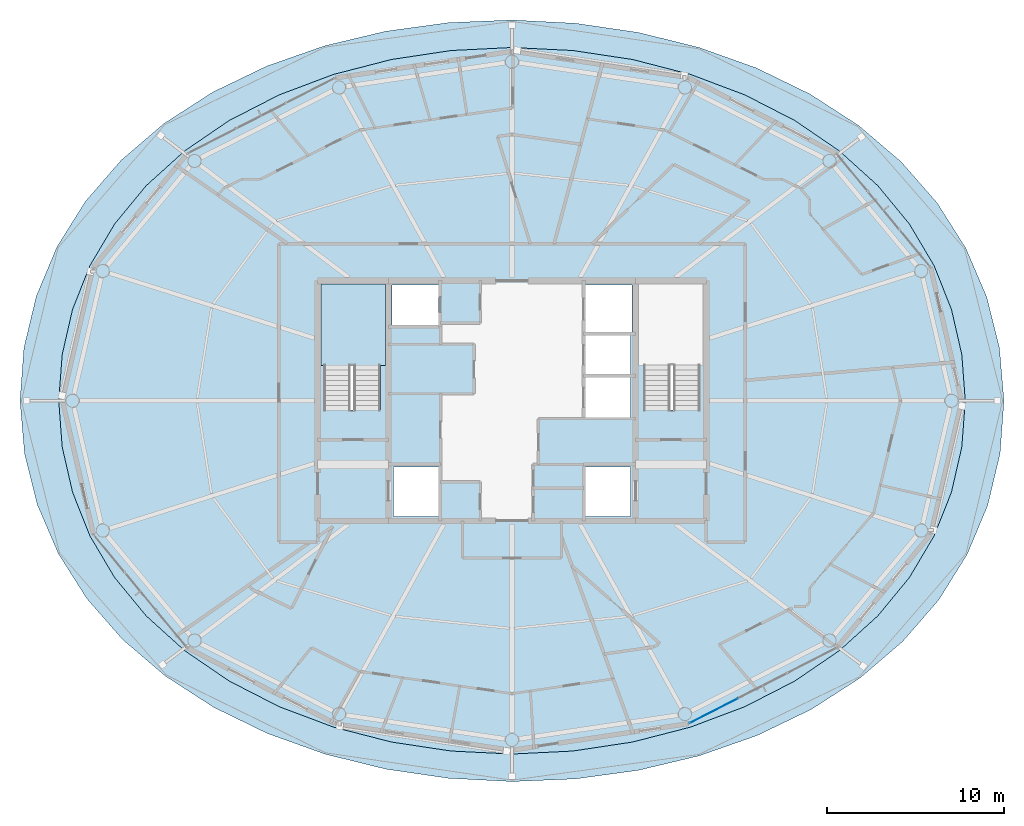
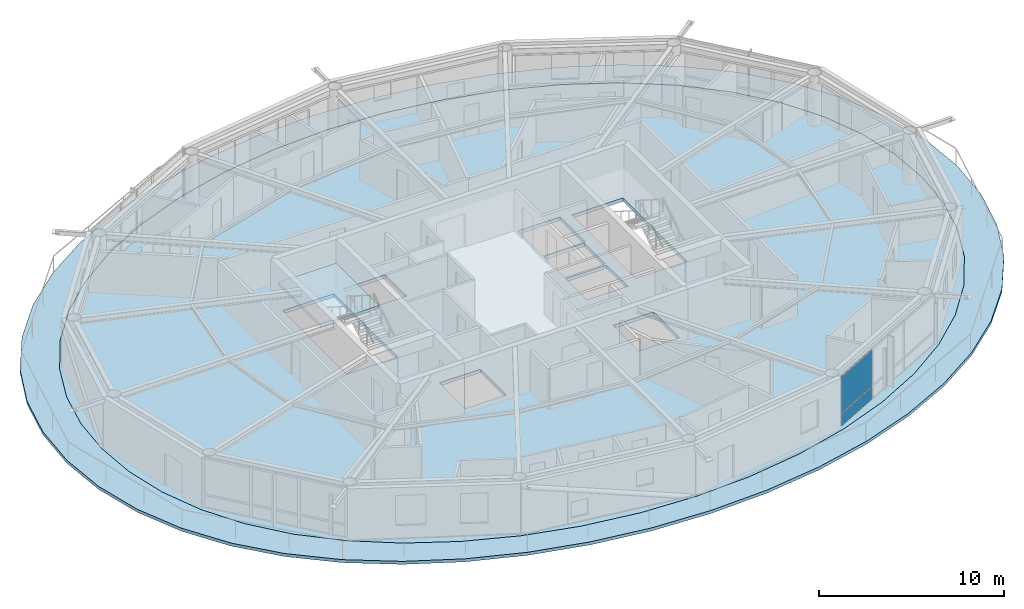
# One storey, part 13 of 23: 3 slabs, 2 plates, 2 elements without a shape of their own.
"""IFC4 building model written with IfcOpenShell, lengths in metres."""

import ifcopenshell
import ifcopenshell.guid

model = None  # the IFC model being written
_history = None  # IfcOwnerHistory: only IFC2X3 demands one
_inside = {}  # id of a spatial element -> (the spatial element, [elements in it])
_under = {}  # id of a project, library or spatial element -> (it, [spatial elements below it])
_declared = {}  # id of a project -> (the project, [libraries it declares])
_typed = {}  # id of a type object -> (the type object, [elements of that type])
_made_of = {}  # id of a material, layer set ... -> (it, [elements and type objects made of it])


def new_model(schema):
    """Start an empty IFC model of exactly this schema.

    Asked for "IFC4X3", IfcOpenShell would pick the latest addendum, in which some entities
    have other attributes; the version numbers below select the first issue.
    IFC2X3 requires an IfcOwnerHistory on every rooted entity: one is made here for all.
    """
    global model, _history
    if schema == "IFC4X3":
        model = ifcopenshell.file(schema_version=(4, 3, 0, 0))
    else:
        model = ifcopenshell.file(schema=schema)
    _inside.clear()
    _under.clear()
    _declared.clear()
    _typed.clear()
    _made_of.clear()
    _history = None
    if model.schema == "IFC2X3":
        org = make("IfcOrganization", Name="unknown")
        user = make(
            "IfcPersonAndOrganization",
            ThePerson=make("IfcPerson", FamilyName="unknown"),
            TheOrganization=org,
        )
        app = make(
            "IfcApplication",
            ApplicationDeveloper=org,
            Version="unknown",
            ApplicationFullName="unknown",
            ApplicationIdentifier="unknown",
        )
        _history = make(
            "IfcOwnerHistory",
            OwningUser=user,
            OwningApplication=app,
            ChangeAction="ADDED",
            CreationDate=0,
        )
    return model


def make(cls, **values):
    """One entity of the class cls with the attributes given. An attribute that is None is left unset."""
    return model.create_entity(
        cls, **{name: value for name, value in values.items() if value is not None}
    )


def rooted(cls, **values):
    """An entity with a GlobalId (a new one), such as an element, a storey or a relation."""
    return make(cls, GlobalId=ifcopenshell.guid.new(), OwnerHistory=_history, **values)


def si_unit(unit_type, name, prefix=None):
    """IfcSIUnit, for example si_unit("LENGTHUNIT", "METRE", prefix="MILLI")."""
    return make("IfcSIUnit", UnitType=unit_type, Prefix=prefix, Name=name)


def assignment(units):
    """IfcUnitAssignment: the units of a project."""
    return None if units is None else make("IfcUnitAssignment", Units=units)


def point(xyz):
    """IfcCartesianPoint."""
    return None if xyz is None else make("IfcCartesianPoint", Coordinates=xyz)


def direction(xyz):
    """IfcDirection."""
    return None if xyz is None else make("IfcDirection", DirectionRatios=xyz)


def frame(location, z_axis=None, x_axis=None):
    """IfcAxis2Placement3D, a coordinate frame: its origin and axes. An axis left out is left unset."""
    return make(
        "IfcAxis2Placement3D",
        Location=point(location),
        Axis=direction(z_axis),
        RefDirection=direction(x_axis),
    )


def frame_2d(location, x_axis=None):
    """IfcAxis2Placement2D, a coordinate frame in the plane: its origin and x axis."""
    return make(
        "IfcAxis2Placement2D", Location=point(location), RefDirection=direction(x_axis)
    )


def origin():
    """The frame at (0, 0, 0) with its axes left unset."""
    return frame((0.0, 0.0, 0.0))


def origin_2d():
    """The frame at (0, 0) in the plane with its x axis left unset."""
    return frame_2d((0.0, 0.0))


def place(relative_to, where):
    """IfcLocalPlacement: puts the frame where relative to a parent placement (None: the world)."""
    return make(
        "IfcLocalPlacement", PlacementRelTo=relative_to, RelativePlacement=where
    )


def context(
    kind, dimensions, precision=None, world=None, true_north=None, identifier=None
):
    """IfcGeometricRepresentationContext, for example the 3D "Model" context."""
    return make(
        "IfcGeometricRepresentationContext",
        ContextIdentifier=identifier,
        ContextType=kind,
        CoordinateSpaceDimension=dimensions,
        Precision=precision,
        WorldCoordinateSystem=world,
        TrueNorth=true_north,
    )


def subcontext(parent, identifier, kind, view, scale=None):
    """IfcGeometricRepresentationSubContext, for example "Body" below "Model"."""
    return make(
        "IfcGeometricRepresentationSubContext",
        ContextIdentifier=identifier,
        ContextType=kind,
        ParentContext=parent,
        TargetScale=scale,
        TargetView=view,
    )


def project(units=None, contexts=None):
    """IfcProject with its units and contexts."""
    return rooted(
        "IfcProject",
        Name="project",
        RepresentationContexts=contexts,
        UnitsInContext=assignment(units),
    )


def spatial(cls, under=None, at=None, **own):
    """A site, building, storey or space (cls), placed at a placement, below another one or the project."""
    s = rooted(cls, ObjectPlacement=at, **own)
    if under is not None:
        _under.setdefault(under.id(), (under, []))[1].append(s)
    return s


def polyline(points):
    """IfcPolyline through the points."""
    return make("IfcPolyline", Points=[point(p) for p in points])


def profile(cls, at=None, kind="AREA", **sizes):
    """A parametric profile (cls). Its sizes go by their IFC names, for example OverallWidth=200.0."""
    return make(cls, ProfileType=kind, Position=at, **sizes)


def rectangle(**sizes):
    """IfcRectangleProfileDef."""
    return profile("IfcRectangleProfileDef", **sizes)


def outline(outer, holes=None, kind="AREA"):
    """IfcArbitraryClosedProfileDef: a profile drawn as a closed curve; with holes, ...WithVoids."""
    if holes is None:
        return make("IfcArbitraryClosedProfileDef", ProfileType=kind, OuterCurve=outer)
    return make(
        "IfcArbitraryProfileDefWithVoids",
        ProfileType=kind,
        OuterCurve=outer,
        InnerCurves=holes,
    )


def extrude(swept, where, along, depth):
    """IfcExtrudedAreaSolid: the profile swept, set in the frame where, extruded along a direction by depth."""
    return make(
        "IfcExtrudedAreaSolid",
        SweptArea=swept,
        Position=where,
        ExtrudedDirection=direction(along),
        Depth=depth,
    )


def shape(context_of_items, identifier, shape_type, items):
    """IfcShapeRepresentation: the items that make up one representation, for example the "Body"."""
    return make(
        "IfcShapeRepresentation",
        ContextOfItems=context_of_items,
        RepresentationIdentifier=identifier,
        RepresentationType=shape_type,
        Items=items,
    )


def material(Name=None, Category=None):
    """IfcMaterial."""
    return make("IfcMaterial", Name=Name, Category=Category)


def layer(
    of_material, thickness, ventilated=None, Name=None, Category=None, Priority=None
):
    """IfcMaterialLayer: one layer of a wall or slab, of a material (None: an air gap)."""
    return make(
        "IfcMaterialLayer",
        Material=of_material,
        LayerThickness=thickness,
        IsVentilated=ventilated,
        Name=Name,
        Category=Category,
        Priority=Priority,
    )


def layer_set(layers, Name=None):
    """IfcMaterialLayerSet."""
    return make("IfcMaterialLayerSet", MaterialLayers=layers, LayerSetName=Name)


def made_of(thing, what):
    """Note that an element or type object is made of a material, layer set ...; save() writes the relation."""
    if what is not None:
        _made_of.setdefault(what.id(), (what, []))[1].append(thing)
    return thing


def type_object(cls, material=None, **own):
    """A type object (cls), such as IfcWallType, which elements share."""
    return made_of(rooted(cls, **own), material)


def element(
    cls,
    number,
    at=None,
    inside=None,
    cuts=None,
    type_object=None,
    material=None,
    context=None,
    identifier="Body",
    shape_type=None,
    held_by="IfcProductDefinitionShape",
    body=None,
    shapes=None,
    **own,
):
    """One element of the class cls, such as IfcWall. Its Tag is "e" and its number.

    at: its placement. inside: the storey or other place that contains it. cuts: it is an
    opening in that element (IfcRelVoidsElement). A single representation is given by context,
    identifier, shape_type and body (its items); several are given by shapes. held_by: the class
    of the entity that holds the representations. save() writes the other relations.
    """
    e = rooted(cls, Tag="e%d" % number, ObjectPlacement=at, **own)
    if body is not None:
        shapes = [shape(context, identifier, shape_type, body)]
    if shapes is not None:
        e.Representation = make(held_by, Representations=shapes)
    if inside is not None:
        _inside.setdefault(inside.id(), (inside, []))[1].append(e)
    if cuts is not None:
        rooted(
            "IfcRelVoidsElement", RelatingBuildingElement=cuts, RelatedOpeningElement=e
        )
    if type_object is not None:
        _typed.setdefault(type_object.id(), (type_object, []))[1].append(e)
    return made_of(e, material)


def aggregate(whole, parts):
    """IfcRelAggregates: a whole, such as a stair, and the parts it consists of."""
    return rooted("IfcRelAggregates", RelatingObject=whole, RelatedObjects=parts)


def save(model, path):
    """Write the relations noted so far, then the file.

    IfcRelAggregates (storeys below a building ...), IfcRelContainedInSpatialStructure (elements
    in a storey), IfcRelDefinesByType, IfcRelAssociatesMaterial and IfcRelDeclares: one each for
    every whole, place, type object, material and project.
    """
    for whole, parts in _under.values():
        aggregate(whole, parts)
    for where, things in _inside.values():
        rooted(
            "IfcRelContainedInSpatialStructure",
            RelatedElements=things,
            RelatingStructure=where,
        )
    for kind, things in _typed.values():
        rooted("IfcRelDefinesByType", RelatedObjects=things, RelatingType=kind)
    for what, things in _made_of.values():
        rooted("IfcRelAssociatesMaterial", RelatedObjects=things, RelatingMaterial=what)
    for by, libraries in _declared.values():
        rooted("IfcRelDeclares", RelatingContext=by, RelatedDefinitions=libraries)
    model.write(path)


model = new_model("IFC4")

# Units and contexts
model_context = context("Model", 3, precision=1e-05, world=origin(), true_north=direction((0.0, 1.0)))
body_context = subcontext(model_context, "Body", "Model", "MODEL_VIEW")
ifc_project = project(units=[si_unit("LENGTHUNIT", "METRE"), si_unit("AREAUNIT", "SQUARE_METRE"), si_unit("VOLUMEUNIT", "CUBIC_METRE"), si_unit("PLANEANGLEUNIT", "RADIAN"), si_unit("MASSUNIT", "GRAM", prefix="KILO")], contexts=[model_context])

# Site, building, storey
site_placement = place(None, origin())
site = spatial("IfcSite", under=ifc_project, at=site_placement, CompositionType="ELEMENT")
building_placement = place(site_placement, origin())
building = spatial("IfcBuilding", under=site, at=building_placement, Name="Sarneth Arch Tower", CompositionType="ELEMENT")
storey_placement = place(building_placement, frame((0.0, 0.0, 276.60009765625)))
storey = spatial("IfcBuildingStorey", under=building, at=storey_placement, Name="L71", CompositionType="ELEMENT", Elevation=276.60009765625)

# Curtain wall, plates
ifc_material_1 = material(Name="Anodised aluminium Type AA25 and solar-control low-e laminated IGU", Category="aluminium")
ifc_layer_1 = layer(ifc_material_1, 0.179931640625)
ifc_layer_set_1 = layer_set([ifc_layer_1], Name="Anodised aluminium Type AA25 and solar-control low-e laminated IGU")
curtain_wall_type = type_object("IfcCurtainWallType", Name="CW-RES-HIGH", PredefinedType="NOTDEFINED", material=ifc_layer_set_1)
curtain_wall_placement = place(storey_placement, origin())
curtain_wall = element("IfcCurtainWall", 1, at=curtain_wall_placement, inside=storey, type_object=curtain_wall_type, Name="L71 Unitised curtain wall facet 14", PredefinedType="NOTDEFINED")
ifc_material_2 = material(Name="Solar-control low-e laminated IGU", Category="glass")
ifc_layer_2 = layer(ifc_material_2, 0.028076171875)
ifc_layer_set_2 = layer_set([ifc_layer_2], Name="Solar-control low-e laminated IGU")
plate_type = type_object("IfcPlateType", Name="CW-PANEL", PredefinedType="CURTAIN_PANEL", material=ifc_layer_set_2)
plate_1_placement = place(storey_placement, frame((59.4208984375, 24.447021484375, 0.059814453125), z_axis=(0.0, 0.0, 1.0), x_axis=(0.890009540525, 0.455941901753, 0.0)))
plate_1 = element("IfcPlate", 2, at=plate_1_placement, type_object=plate_type, Name="Curtain wall glazed vision pane CW-L71-F14/P00-00", PredefinedType="CURTAIN_PANEL", context=body_context, shape_type="SweptSolid", body=[
    extrude(rectangle(XDim=3.044677734375, YDim=0.028076171875, at=origin_2d()), origin(), (0.0, 0.0, 1.0), 0.81005859375),
])
plate_2_placement = place(storey_placement, frame((59.4208984375, 24.447021484375, 0.929931640625), z_axis=(0.0, 0.0, 1.0), x_axis=(0.890009540525, 0.455941901753, 0.0)))
plate_2 = element("IfcPlate", 3, at=plate_2_placement, type_object=plate_type, Name="Curtain wall glazed vision pane CW-L71-F14/P00-01", PredefinedType="CURTAIN_PANEL", context=body_context, shape_type="SweptSolid", body=[
    extrude(rectangle(XDim=3.044677734375, YDim=0.028076171875, at=origin_2d()), origin(), (0.0, 0.0, 1.0), 2.3798828125),
])
aggregate(curtain_wall, [plate_1, plate_2])

# Slab
ifc_material_3 = material(Name="Concrete C50/60", Category="concrete")
ifc_layer_3 = layer(ifc_material_3, 0.199951171875)
ifc_layer_set_3 = layer_set([ifc_layer_3], Name="Concrete C50/60")
slab_type_1 = type_object("IfcSlabType", Name="SLAB-BALC-200", PredefinedType="FLOOR", material=ifc_layer_set_3)
slab_1_placement = place(storey_placement, frame((0.0, 0.0, -0.2001953125)))
element("IfcSlab", 4, at=slab_1_placement, inside=storey, type_object=slab_type_1, Name="L71 Helical balcony band slab", PredefinedType="FLOOR", context=body_context, shape_type="SweptSolid", body=[
    extrude(outline(polyline([(75.853759765625, 42.0), (75.596923828125, 44.9912109375), (74.86865234375, 47.897705078125), (73.6845703125, 50.65380859375), (72.06494140625, 53.20947265625), (70.033935546875, 55.529052734375), (67.62353515625, 57.58642578125), (64.875244140625, 59.362060546875), (61.840087890625, 60.839599609375), (58.576171875, 62.006591796875), (55.1435546875, 62.85302734375), (51.599609375, 63.37158203125), (48.0, 63.55712890625), (44.396728515625, 63.406494140625), (40.843017578125, 62.91943359375), (37.39501953125, 62.097900390625), (34.113037109375, 60.94677734375), (31.059326171875, 59.474853515625), (28.295166015625, 57.694580078125), (25.874755859375, 55.622314453125), (23.842529296875, 53.281005859375), (22.23193359375, 50.700439453125), (21.06787109375, 47.920654296875), (20.36865234375, 44.997314453125), (20.146240234375, 42.0), (20.403076171875, 39.0087890625), (21.13134765625, 36.102294921875), (22.3154296875, 33.34619140625), (23.93505859375, 30.79052734375), (25.966064453125, 28.470947265625), (28.37646484375, 26.41357421875), (31.124755859375, 24.637939453125), (34.159912109375, 23.160400390625), (37.423828125, 21.993408203125), (40.8564453125, 21.14697265625), (44.400390625, 20.62841796875), (48.0, 20.44287109375), (51.603271484375, 20.593505859375), (55.156982421875, 21.08056640625), (58.60498046875, 21.902099609375), (61.886962890625, 23.05322265625), (64.940673828125, 24.525146484375), (67.704833984375, 26.305419921875), (70.125244140625, 28.377685546875), (72.157470703125, 30.718994140625), (73.76806640625, 33.299560546875), (74.93212890625, 36.079345703125), (75.63134765625, 39.002685546875), (75.853759765625, 42.0)]), holes=[polyline([(73.660888671875, 42.0), (73.466064453125, 44.610595703125), (72.87890625, 47.17626953125), (71.892822265625, 49.653564453125), (70.5029296875, 52.0), (68.712158203125, 54.17529296875), (66.536865234375, 56.14208984375), (64.009521484375, 57.8671875), (61.177001953125, 59.320556640625), (58.0966796875, 60.4775390625), (54.83203125, 61.318603515625), (51.44580078125, 61.828857421875), (48.0, 62.0), (44.55419921875, 61.828857421875), (41.16796875, 61.318603515625), (37.9033203125, 60.4775390625), (34.822998046875, 59.320556640625), (31.990478515625, 57.8671875), (29.463134765625, 56.14208984375), (27.287841796875, 54.17529296875), (25.4970703125, 52.0), (24.107177734375, 49.653564453125), (23.12109375, 47.17626953125), (22.533935546875, 44.610595703125), (22.339111328125, 42.0), (22.533935546875, 39.389404296875), (23.12109375, 36.82373046875), (24.107177734375, 34.346435546875), (25.4970703125, 32.0), (27.287841796875, 29.82470703125), (29.463134765625, 27.85791015625), (31.990478515625, 26.1328125), (34.822998046875, 24.679443359375), (37.9033203125, 23.5224609375), (41.16796875, 22.681396484375), (44.55419921875, 22.171142578125), (48.0, 22.0), (51.44580078125, 22.171142578125), (54.83203125, 22.681396484375), (58.0966796875, 23.5224609375), (61.177001953125, 24.679443359375), (64.009521484375, 26.1328125), (66.536865234375, 27.85791015625), (68.712158203125, 29.82470703125), (70.5029296875, 32.0), (71.892822265625, 34.346435546875), (72.87890625, 36.82373046875), (73.466064453125, 39.389404296875), (73.660888671875, 42.0)])]), origin(), (0.0, 0.0, 1.0), 0.2001953125),
])

# Stair, slab
ifc_material_4 = material(Name="Concrete C50/60", Category="concrete")
stair_type = type_object("IfcStairType", Name="STAIR-CORE-RC", PredefinedType="HALF_TURN_STAIR", material=ifc_material_4)
stair_placement = place(storey_placement, origin())
stair = element("IfcStair", 5, at=stair_placement, inside=storey, type_object=stair_type, Name="L71 Core Exit Stair 1", PredefinedType="HALF_TURN_STAIR")
ifc_material_5 = material(Name="Concrete C50/60", Category="concrete")
ifc_layer_4 = layer(ifc_material_5, 0.199951171875)
ifc_layer_set_4 = layer_set([ifc_layer_4], Name="Concrete C50/60")
slab_type_2 = type_object("IfcSlabType", Name="SLAB-LANDING-200", PredefinedType="LANDING", material=ifc_layer_set_4)
slab_2_placement = place(storey_placement, frame((0.0, 0.0, 1.599853515625)))
slab_2 = element("IfcSlab", 6, at=slab_2_placement, type_object=slab_type_2, Name="ST-1 landing 1", PredefinedType="LANDING", context=body_context, shape_type="SweptSolid", body=[
    extrude(outline(polyline([(37.175048828125, 43.985107421875), (40.824951171875, 43.985107421875), (40.824951171875, 48.625), (37.175048828125, 48.625), (37.175048828125, 43.985107421875)])), origin(), (0.0, 0.0, 1.0), 0.199951171875),
])
aggregate(stair, [slab_2])

# Slab
ifc_material_6 = material(Name="Concrete C50/60", Category="concrete")
ifc_layer_5 = layer(ifc_material_6, 0.22998046875)
ifc_layer_set_5 = layer_set([ifc_layer_5], Name="Concrete C50/60")
slab_type_3 = type_object("IfcSlabType", Name="SLAB-TOWER-230", PredefinedType="FLOOR", material=ifc_layer_set_5)
slab_3_placement = place(storey_placement, frame((0.0, 0.0, -0.22998046875)))
element("IfcSlab", 7, at=slab_3_placement, inside=storey, type_object=slab_type_3, Name="L71 Elliptical floor slab", PredefinedType="FLOOR", context=body_context, shape_type="SweptSolid", body=[
    extrude(outline(polyline([(73.660888671875, 42.0), (73.466064453125, 44.610595703125), (72.87890625, 47.17626953125), (71.892822265625, 49.653564453125), (70.5029296875, 52.0), (68.712158203125, 54.17529296875), (66.536865234375, 56.14208984375), (64.009521484375, 57.8671875), (61.177001953125, 59.320556640625), (58.0966796875, 60.4775390625), (54.83203125, 61.318603515625), (51.44580078125, 61.828857421875), (48.0, 62.0), (44.55419921875, 61.828857421875), (41.16796875, 61.318603515625), (37.9033203125, 60.4775390625), (34.822998046875, 59.320556640625), (31.990478515625, 57.8671875), (29.463134765625, 56.14208984375), (27.287841796875, 54.17529296875), (25.4970703125, 52.0), (24.107177734375, 49.653564453125), (23.12109375, 47.17626953125), (22.533935546875, 44.610595703125), (22.339111328125, 42.0), (22.533935546875, 39.389404296875), (23.12109375, 36.82373046875), (24.107177734375, 34.346435546875), (25.4970703125, 32.0), (27.287841796875, 29.82470703125), (29.463134765625, 27.85791015625), (31.990478515625, 26.1328125), (34.822998046875, 24.679443359375), (37.9033203125, 23.5224609375), (41.16796875, 22.681396484375), (44.55419921875, 22.171142578125), (48.0, 22.0), (51.44580078125, 22.171142578125), (54.83203125, 22.681396484375), (58.0966796875, 23.5224609375), (61.177001953125, 24.679443359375), (64.009521484375, 26.1328125), (66.536865234375, 27.85791015625), (68.712158203125, 29.82470703125), (70.5029296875, 32.0), (71.892822265625, 34.346435546875), (72.87890625, 36.82373046875), (73.466064453125, 39.389404296875), (73.660888671875, 42.0)]), holes=[polyline([(37.35009765625, 41.489990234375), (40.550048828125, 41.489990234375), (40.550048828125, 48.39990234375), (37.35009765625, 48.39990234375), (37.35009765625, 41.489990234375)]), polyline([(55.449951171875, 41.489990234375), (58.64990234375, 41.489990234375), (58.64990234375, 48.39990234375), (55.449951171875, 48.39990234375), (55.449951171875, 41.489990234375)]), polyline([(41.199951171875, 46.25), (43.85009765625, 46.25), (43.85009765625, 48.550048828125), (41.199951171875, 48.550048828125), (41.199951171875, 46.25)]), polyline([(41.300048828125, 35.449951171875), (43.85009765625, 35.449951171875), (43.85009765625, 38.25), (41.300048828125, 38.25), (41.300048828125, 35.449951171875)]), polyline([(52.14990234375, 35.449951171875), (54.699951171875, 35.449951171875), (54.699951171875, 38.25), (52.14990234375, 38.25), (52.14990234375, 35.449951171875)]), polyline([(52.14990234375, 45.85009765625), (54.800048828125, 45.85009765625), (54.800048828125, 48.550048828125), (52.14990234375, 48.550048828125), (52.14990234375, 45.85009765625)]), polyline([(52.14990234375, 41.050048828125), (54.699951171875, 41.050048828125), (54.699951171875, 43.35009765625), (52.14990234375, 43.35009765625), (52.14990234375, 41.050048828125)]), polyline([(52.14990234375, 43.5), (54.699951171875, 43.5), (54.699951171875, 45.75), (52.14990234375, 45.75), (52.14990234375, 43.5)])]), origin(), (0.0, 0.0, 1.0), 0.22998046875),
])

save(model, "model.ifc")
